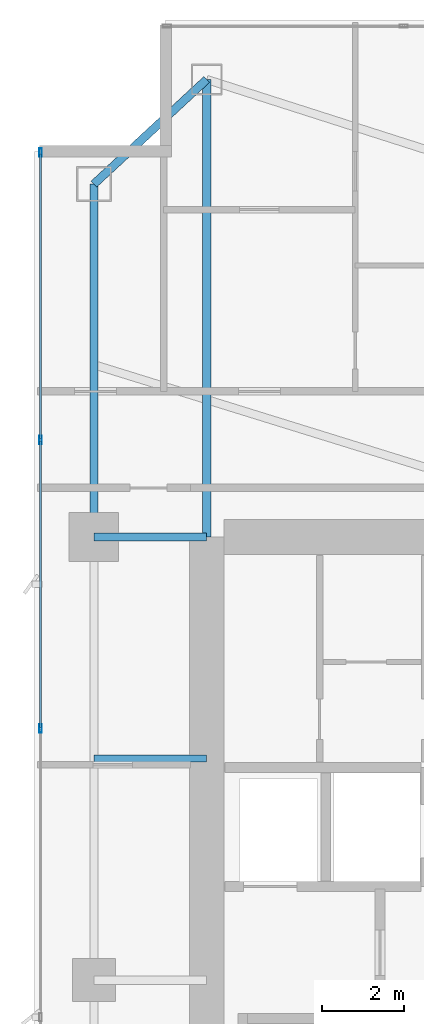
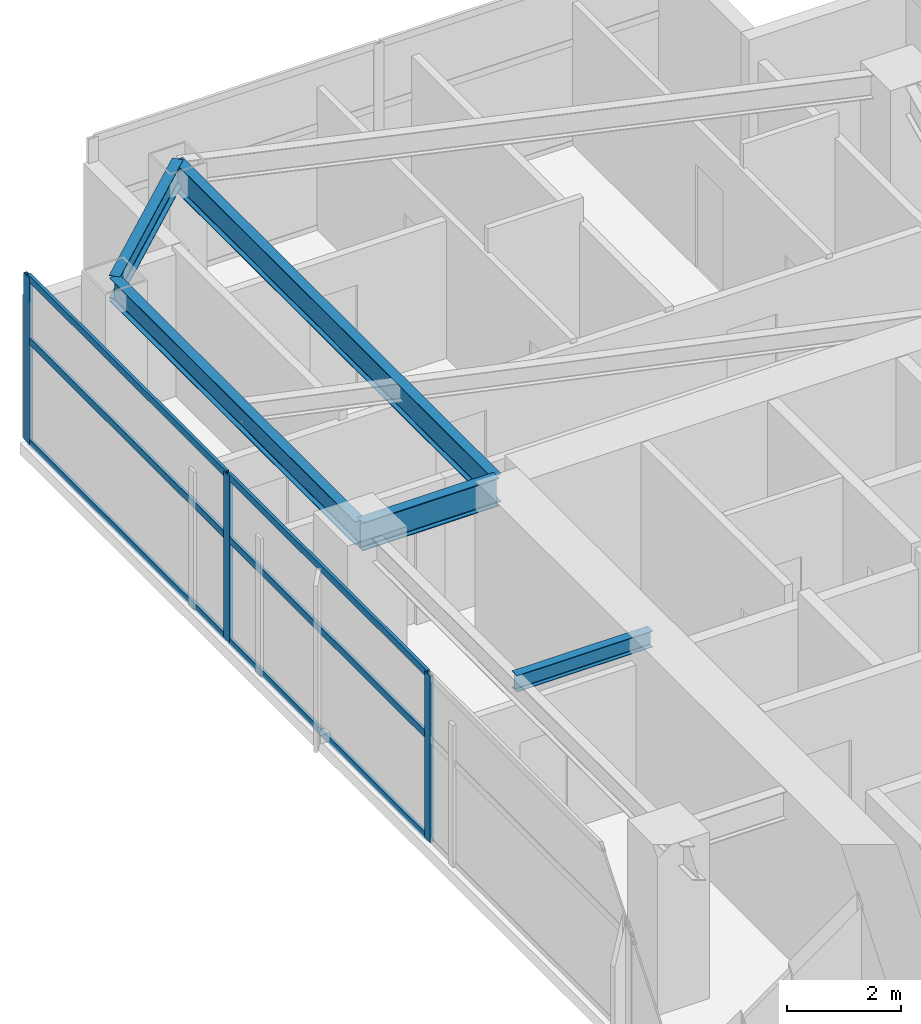
# One storey, part 16 of 29: 9 members, 5 beams, 1 element without a shape of its own.
"""IFC4 building model written with IfcOpenShell, lengths in metres."""

import ifcopenshell
import ifcopenshell.guid

model = None  # the IFC model being written
_history = None  # IfcOwnerHistory: only IFC2X3 demands one
_inside = {}  # id of a spatial element -> (the spatial element, [elements in it])
_under = {}  # id of a project, library or spatial element -> (it, [spatial elements below it])
_declared = {}  # id of a project -> (the project, [libraries it declares])
_typed = {}  # id of a type object -> (the type object, [elements of that type])
_made_of = {}  # id of a material, layer set ... -> (it, [elements and type objects made of it])


def new_model(schema):
    """Start an empty IFC model of exactly this schema.

    Asked for "IFC4X3", IfcOpenShell would pick the latest addendum, in which some entities
    have other attributes; the version numbers below select the first issue.
    IFC2X3 requires an IfcOwnerHistory on every rooted entity: one is made here for all.
    """
    global model, _history
    if schema == "IFC4X3":
        model = ifcopenshell.file(schema_version=(4, 3, 0, 0))
    else:
        model = ifcopenshell.file(schema=schema)
    _inside.clear()
    _under.clear()
    _declared.clear()
    _typed.clear()
    _made_of.clear()
    _history = None
    if model.schema == "IFC2X3":
        org = make("IfcOrganization", Name="unknown")
        user = make(
            "IfcPersonAndOrganization",
            ThePerson=make("IfcPerson", FamilyName="unknown"),
            TheOrganization=org,
        )
        app = make(
            "IfcApplication",
            ApplicationDeveloper=org,
            Version="unknown",
            ApplicationFullName="unknown",
            ApplicationIdentifier="unknown",
        )
        _history = make(
            "IfcOwnerHistory",
            OwningUser=user,
            OwningApplication=app,
            ChangeAction="ADDED",
            CreationDate=0,
        )
    return model


def make(cls, **values):
    """One entity of the class cls with the attributes given. An attribute that is None is left unset."""
    return model.create_entity(
        cls, **{name: value for name, value in values.items() if value is not None}
    )


def rooted(cls, **values):
    """An entity with a GlobalId (a new one), such as an element, a storey or a relation."""
    return make(cls, GlobalId=ifcopenshell.guid.new(), OwnerHistory=_history, **values)


def si_unit(unit_type, name, prefix=None):
    """IfcSIUnit, for example si_unit("LENGTHUNIT", "METRE", prefix="MILLI")."""
    return make("IfcSIUnit", UnitType=unit_type, Prefix=prefix, Name=name)


def assignment(units):
    """IfcUnitAssignment: the units of a project."""
    return None if units is None else make("IfcUnitAssignment", Units=units)


def point(xyz):
    """IfcCartesianPoint."""
    return None if xyz is None else make("IfcCartesianPoint", Coordinates=xyz)


def direction(xyz):
    """IfcDirection."""
    return None if xyz is None else make("IfcDirection", DirectionRatios=xyz)


def frame(location, z_axis=None, x_axis=None):
    """IfcAxis2Placement3D, a coordinate frame: its origin and axes. An axis left out is left unset."""
    return make(
        "IfcAxis2Placement3D",
        Location=point(location),
        Axis=direction(z_axis),
        RefDirection=direction(x_axis),
    )


def frame_2d(location, x_axis=None):
    """IfcAxis2Placement2D, a coordinate frame in the plane: its origin and x axis."""
    return make(
        "IfcAxis2Placement2D", Location=point(location), RefDirection=direction(x_axis)
    )


def origin():
    """The frame at (0, 0, 0) with its axes left unset."""
    return frame((0.0, 0.0, 0.0))


def origin_2d():
    """The frame at (0, 0) in the plane with its x axis left unset."""
    return frame_2d((0.0, 0.0))


def place(relative_to, where):
    """IfcLocalPlacement: puts the frame where relative to a parent placement (None: the world)."""
    return make(
        "IfcLocalPlacement", PlacementRelTo=relative_to, RelativePlacement=where
    )


def context(
    kind, dimensions, precision=None, world=None, true_north=None, identifier=None
):
    """IfcGeometricRepresentationContext, for example the 3D "Model" context."""
    return make(
        "IfcGeometricRepresentationContext",
        ContextIdentifier=identifier,
        ContextType=kind,
        CoordinateSpaceDimension=dimensions,
        Precision=precision,
        WorldCoordinateSystem=world,
        TrueNorth=true_north,
    )


def subcontext(parent, identifier, kind, view, scale=None):
    """IfcGeometricRepresentationSubContext, for example "Body" below "Model"."""
    return make(
        "IfcGeometricRepresentationSubContext",
        ContextIdentifier=identifier,
        ContextType=kind,
        ParentContext=parent,
        TargetScale=scale,
        TargetView=view,
    )


def project(units=None, contexts=None):
    """IfcProject with its units and contexts."""
    return rooted(
        "IfcProject",
        Name="project",
        RepresentationContexts=contexts,
        UnitsInContext=assignment(units),
    )


def spatial(cls, under=None, at=None, **own):
    """A site, building, storey or space (cls), placed at a placement, below another one or the project."""
    s = rooted(cls, ObjectPlacement=at, **own)
    if under is not None:
        _under.setdefault(under.id(), (under, []))[1].append(s)
    return s


def profile(cls, at=None, kind="AREA", **sizes):
    """A parametric profile (cls). Its sizes go by their IFC names, for example OverallWidth=200.0."""
    return make(cls, ProfileType=kind, Position=at, **sizes)


def hollow_rectangle(**sizes):
    """IfcRectangleHollowProfileDef."""
    return profile("IfcRectangleHollowProfileDef", **sizes)


def i_section(**sizes):
    """IfcIShapeProfileDef."""
    return profile("IfcIShapeProfileDef", **sizes)


def extrude(swept, where, along, depth):
    """IfcExtrudedAreaSolid: the profile swept, set in the frame where, extruded along a direction by depth."""
    return make(
        "IfcExtrudedAreaSolid",
        SweptArea=swept,
        Position=where,
        ExtrudedDirection=direction(along),
        Depth=depth,
    )


def shape(context_of_items, identifier, shape_type, items):
    """IfcShapeRepresentation: the items that make up one representation, for example the "Body"."""
    return make(
        "IfcShapeRepresentation",
        ContextOfItems=context_of_items,
        RepresentationIdentifier=identifier,
        RepresentationType=shape_type,
        Items=items,
    )


def material(Name=None, Category=None):
    """IfcMaterial."""
    return make("IfcMaterial", Name=Name, Category=Category)


def layer(
    of_material, thickness, ventilated=None, Name=None, Category=None, Priority=None
):
    """IfcMaterialLayer: one layer of a wall or slab, of a material (None: an air gap)."""
    return make(
        "IfcMaterialLayer",
        Material=of_material,
        LayerThickness=thickness,
        IsVentilated=ventilated,
        Name=Name,
        Category=Category,
        Priority=Priority,
    )


def layer_set(layers, Name=None):
    """IfcMaterialLayerSet."""
    return make("IfcMaterialLayerSet", MaterialLayers=layers, LayerSetName=Name)


def material_profile(
    of_material, cross_section, Name=None, Category=None, Priority=None
):
    """IfcMaterialProfile: a cross section and its material."""
    return make(
        "IfcMaterialProfile",
        Name=Name,
        Material=of_material,
        Profile=cross_section,
        Priority=Priority,
        Category=Category,
    )


def profile_set(profiles, Name=None, composite=None):
    """IfcMaterialProfileSet."""
    return make(
        "IfcMaterialProfileSet",
        Name=Name,
        MaterialProfiles=profiles,
        CompositeProfile=composite,
    )


def made_of(thing, what):
    """Note that an element or type object is made of a material, layer set ...; save() writes the relation."""
    if what is not None:
        _made_of.setdefault(what.id(), (what, []))[1].append(thing)
    return thing


def type_object(cls, material=None, **own):
    """A type object (cls), such as IfcWallType, which elements share."""
    return made_of(rooted(cls, **own), material)


def element(
    cls,
    number,
    at=None,
    inside=None,
    cuts=None,
    type_object=None,
    material=None,
    context=None,
    identifier="Body",
    shape_type=None,
    held_by="IfcProductDefinitionShape",
    body=None,
    shapes=None,
    **own,
):
    """One element of the class cls, such as IfcWall. Its Tag is "e" and its number.

    at: its placement. inside: the storey or other place that contains it. cuts: it is an
    opening in that element (IfcRelVoidsElement). A single representation is given by context,
    identifier, shape_type and body (its items); several are given by shapes. held_by: the class
    of the entity that holds the representations. save() writes the other relations.
    """
    e = rooted(cls, Tag="e%d" % number, ObjectPlacement=at, **own)
    if body is not None:
        shapes = [shape(context, identifier, shape_type, body)]
    if shapes is not None:
        e.Representation = make(held_by, Representations=shapes)
    if inside is not None:
        _inside.setdefault(inside.id(), (inside, []))[1].append(e)
    if cuts is not None:
        rooted(
            "IfcRelVoidsElement", RelatingBuildingElement=cuts, RelatedOpeningElement=e
        )
    if type_object is not None:
        _typed.setdefault(type_object.id(), (type_object, []))[1].append(e)
    return made_of(e, material)


def aggregate(whole, parts):
    """IfcRelAggregates: a whole, such as a stair, and the parts it consists of."""
    return rooted("IfcRelAggregates", RelatingObject=whole, RelatedObjects=parts)


def save(model, path):
    """Write the relations noted so far, then the file.

    IfcRelAggregates (storeys below a building ...), IfcRelContainedInSpatialStructure (elements
    in a storey), IfcRelDefinesByType, IfcRelAssociatesMaterial and IfcRelDeclares: one each for
    every whole, place, type object, material and project.
    """
    for whole, parts in _under.values():
        aggregate(whole, parts)
    for where, things in _inside.values():
        rooted(
            "IfcRelContainedInSpatialStructure",
            RelatedElements=things,
            RelatingStructure=where,
        )
    for kind, things in _typed.values():
        rooted("IfcRelDefinesByType", RelatedObjects=things, RelatingType=kind)
    for what, things in _made_of.values():
        rooted("IfcRelAssociatesMaterial", RelatedObjects=things, RelatingMaterial=what)
    for by, libraries in _declared.values():
        rooted("IfcRelDeclares", RelatingContext=by, RelatedDefinitions=libraries)
    model.write(path)


model = new_model("IFC4")

# Units and contexts
model_context = context("Model", 3, precision=1e-05, world=origin(), true_north=direction((0.0, 1.0)))
body_context = subcontext(model_context, "Body", "Model", "MODEL_VIEW")
ifc_project = project(units=[si_unit("LENGTHUNIT", "METRE"), si_unit("AREAUNIT", "SQUARE_METRE"), si_unit("VOLUMEUNIT", "CUBIC_METRE"), si_unit("PLANEANGLEUNIT", "RADIAN"), si_unit("MASSUNIT", "GRAM", prefix="KILO")], contexts=[model_context])

# Site, building, storey
site_placement = place(None, origin())
site = spatial("IfcSite", under=ifc_project, at=site_placement, CompositionType="ELEMENT")
building_placement = place(site_placement, origin())
building = spatial("IfcBuilding", under=site, at=building_placement, Name="Calvorn Quay Hotel", CompositionType="ELEMENT")
storey_placement = place(building_placement, frame((0.0, 0.0, 163.699951171875)))
storey = spatial("IfcBuildingStorey", under=building, at=storey_placement, Name="L40", CompositionType="ELEMENT", Elevation=163.699951171875)

# Beams
ifc_material_1 = material(Name="Steel Q355B", Category="steel")
ifc_material_profile_1 = material_profile(ifc_material_1, i_section(OverallWidth=0.199951171875, OverallDepth=0.60009765625, WebThickness=0.010986328125, FlangeThickness=0.01708984375, FilletRadius=0.01806640625, at=origin_2d()), Name="HN600x200x11x17")
ifc_profile_set_1 = profile_set([ifc_material_profile_1], Name="Steel Q355B")
beam_type_1 = type_object("IfcBeamType", Name="BM-GIRD-TYP", PredefinedType="BEAM", material=ifc_profile_set_1)
beam_1_placement = place(storey_placement, frame((1.449951171875, 38.39990234375, 3.239990234375), z_axis=(1.0, 0.0, 0.0), x_axis=(0.0, 1.0, 0.0)))
element("IfcBeam", 1, at=beam_1_placement, inside=storey, type_object=beam_type_1, Name="Beam BG-L40-W3", PredefinedType="BEAM", context=body_context, shape_type="SweptSolid", body=[
    extrude(i_section(OverallWidth=0.199951171875, OverallDepth=0.60009765625, WebThickness=0.010986328125, FlangeThickness=0.01708984375, FilletRadius=0.01806640625, at=origin_2d()), origin(), (0.0, 0.0, 1.0), 2.75),
])
beam_2_placement = place(storey_placement, frame((4.199951171875, 49.550048828125, 3.239990234375), z_axis=(0.0, -1.0, 0.0), x_axis=(1.0, 0.0, 0.0)))
element("IfcBeam", 2, at=beam_2_placement, inside=storey, type_object=beam_type_1, Name="Beam BG-L40-W5", PredefinedType="BEAM", context=body_context, shape_type="SweptSolid", body=[
    extrude(i_section(OverallWidth=0.199951171875, OverallDepth=0.60009765625, WebThickness=0.010986328125, FlangeThickness=0.01708984375, FilletRadius=0.01806640625, at=origin_2d()), origin(), (0.0, 0.0, 1.0), 11.150146484375),
])
ifc_material_2 = material(Name="Steel Q355B", Category="steel")
ifc_material_profile_2 = material_profile(ifc_material_2, i_section(OverallWidth=0.175048828125, OverallDepth=0.35009765625, WebThickness=0.007080078125, FlangeThickness=0.010986328125, FilletRadius=0.013916015625, at=origin_2d()), Name="HN350x175x7x11")
ifc_profile_set_2 = profile_set([ifc_material_profile_2], Name="Steel Q355B")
beam_type_2 = type_object("IfcBeamType", Name="BM-JOIST-SEC", PredefinedType="JOIST", material=ifc_profile_set_2)
beam_3_placement = place(storey_placement, frame((1.449951171875, 33.0, 3.364990234375), z_axis=(1.0, 0.0, 0.0), x_axis=(0.0, 1.0, 0.0)))
element("IfcBeam", 3, at=beam_3_placement, inside=storey, type_object=beam_type_2, Name="Beam BJ-L40-W4", PredefinedType="JOIST", context=body_context, shape_type="SweptSolid", body=[
    extrude(i_section(OverallWidth=0.175048828125, OverallDepth=0.35009765625, WebThickness=0.007080078125, FlangeThickness=0.010986328125, FilletRadius=0.013916015625, at=origin_2d()), origin(), (0.0, 0.0, 1.0), 2.75),
])
ifc_material_3 = material(Name="Steel Q355B", Category="steel")
ifc_material_profile_3 = material_profile(ifc_material_3, i_section(OverallWidth=0.199951171875, OverallDepth=0.5, WebThickness=0.010009765625, FlangeThickness=0.01611328125, FilletRadius=0.01611328125, at=origin_2d()), Name="HN500x200x10x16")
ifc_profile_set_3 = profile_set([ifc_material_profile_3], Name="Steel Q355B")
beam_type_3 = type_object("IfcBeamType", Name="BM-SPANDREL-Z1", PredefinedType="SPANDREL", material=ifc_profile_set_3)
beam_4_placement = place(storey_placement, frame((1.449951171875, 38.39990234375, 3.2900390625), z_axis=(0.0, 1.0, 0.0), x_axis=(-1.0, 0.0, 0.0)))
element("IfcBeam", 4, at=beam_4_placement, inside=storey, type_object=beam_type_3, Name="Beam BSP-L40-W4", PredefinedType="SPANDREL", context=body_context, shape_type="SweptSolid", body=[
    extrude(i_section(OverallWidth=0.199951171875, OverallDepth=0.5, WebThickness=0.010009765625, FlangeThickness=0.01611328125, FilletRadius=0.01611328125, at=origin_2d()), origin(), (0.0, 0.0, 1.0), 8.60009765625),
])
beam_5_placement = place(storey_placement, frame((1.449951171875, 47.0, 3.2900390625), z_axis=(0.733261665538, 0.679946563969, 0.0), x_axis=(-0.679946563969, 0.733261665538, 0.0)))
element("IfcBeam", 5, at=beam_5_placement, inside=storey, type_object=beam_type_3, Name="Beam BSP-L40-W5", PredefinedType="SPANDREL", context=body_context, shape_type="SweptSolid", body=[
    extrude(i_section(OverallWidth=0.199951171875, OverallDepth=0.5, WebThickness=0.010009765625, FlangeThickness=0.01611328125, FilletRadius=0.01611328125, at=origin_2d()), origin(), (0.0, 0.0, 1.0), 3.75048828125),
])

# Curtain wall, members
ifc_material_4 = material(Name="Pale Anodised Aluminium and Low-E Glass", Category="aluminium")
ifc_layer = layer(ifc_material_4, 0.219970703125)
ifc_layer_set = layer_set([ifc_layer], Name="CW-SYS-Z2")
curtain_wall_type = type_object("IfcCurtainWallType", Name="CW-SYS-Z2", PredefinedType="NOTDEFINED", material=ifc_layer_set)
curtain_wall_placement = place(storey_placement, origin())
curtain_wall = element("IfcCurtainWall", 6, at=curtain_wall_placement, inside=storey, type_object=curtain_wall_type, Name="Tower West Curtain Wall (L40)", PredefinedType="NOTDEFINED")
ifc_material_5 = material(Name="Pale Anodised Aluminium 6063-T6", Category="aluminium")
ifc_material_profile_4 = material_profile(ifc_material_5, hollow_rectangle(XDim=0.070068359375, YDim=0.199951171875, WallThickness=0.00390625, at=origin_2d()), Name="ALU-M200x70x4")
ifc_profile_set_4 = profile_set([ifc_material_profile_4], Name="Pale Anodised Aluminium 6063-T6")
member_type_1 = type_object("IfcMemberType", Name="CW-SYS-Z2-MUL", PredefinedType="MULLION", material=ifc_profile_set_4)
member_1_placement = place(storey_placement, frame((0.14990234375, 33.7333984375, 0.0), z_axis=(0.0, 0.0, 1.0), x_axis=(-1.0, 0.0, 0.0)))
member_1 = element("IfcMember", 7, at=member_1_placement, type_object=member_type_1, Name="CW-L40-W mullion 5", PredefinedType="MULLION", context=body_context, shape_type="SweptSolid", body=[
    extrude(hollow_rectangle(XDim=0.070068359375, YDim=0.199951171875, WallThickness=0.00390625, at=origin_2d()), origin(), (0.0, 0.0, 1.0), 3.56005859375),
])
member_2_placement = place(storey_placement, frame((0.14990234375, 40.7666015625, 0.0), z_axis=(0.0, 0.0, 1.0), x_axis=(-1.0, 0.0, 0.0)))
member_2 = element("IfcMember", 8, at=member_2_placement, type_object=member_type_1, Name="CW-L40-W mullion 6", PredefinedType="MULLION", context=body_context, shape_type="SweptSolid", body=[
    extrude(hollow_rectangle(XDim=0.070068359375, YDim=0.199951171875, WallThickness=0.00390625, at=origin_2d()), origin(), (0.0, 0.0, 1.0), 3.56005859375),
])
member_3_placement = place(storey_placement, frame((0.14990234375, 47.77001953125, 0.0), z_axis=(0.0, 0.0, 1.0), x_axis=(-1.0, 0.0, 0.0)))
member_3 = element("IfcMember", 9, at=member_3_placement, type_object=member_type_1, Name="CW-L40-W mullion 7", PredefinedType="MULLION", context=body_context, shape_type="SweptSolid", body=[
    extrude(hollow_rectangle(XDim=0.070068359375, YDim=0.199951171875, WallThickness=0.00390625, at=origin_2d()), origin(), (0.0, 0.0, 1.0), 3.56005859375),
])
ifc_material_6 = material(Name="Pale Anodised Aluminium 6063-T6", Category="aluminium")
ifc_material_profile_5 = material_profile(ifc_material_6, hollow_rectangle(XDim=0.06005859375, YDim=0.14990234375, WallThickness=0.00341796875, at=origin_2d()), Name="ALU-T150x60x3.5")
ifc_profile_set_5 = profile_set([ifc_material_profile_5], Name="Pale Anodised Aluminium 6063-T6")
member_type_2 = type_object("IfcMemberType", Name="CW-SYS-Z2-TRN", PredefinedType="USERDEFINED", material=ifc_profile_set_5)
member_4_placement = place(storey_placement, frame((0.14990234375, 33.763427734375, 0.030029296875), z_axis=(0.0, 1.0, 0.0), x_axis=(-1.0, 0.0, 0.0)))
member_4 = element("IfcMember", 10, at=member_4_placement, type_object=member_type_2, Name="CW-L40-W transom 5.1", ObjectType="TRANSOM", PredefinedType="USERDEFINED", context=body_context, shape_type="SweptSolid", body=[
    extrude(hollow_rectangle(XDim=0.06005859375, YDim=0.14990234375, WallThickness=0.00341796875, at=origin_2d()), origin(), (0.0, 0.0, 1.0), 6.97314453125),
])
member_5_placement = place(storey_placement, frame((0.14990234375, 33.763427734375, 2.199951171875), z_axis=(0.0, 1.0, 0.0), x_axis=(-1.0, 0.0, 0.0)))
member_5 = element("IfcMember", 11, at=member_5_placement, type_object=member_type_2, Name="CW-L40-W transom 5.2", ObjectType="TRANSOM", PredefinedType="USERDEFINED", context=body_context, shape_type="SweptSolid", body=[
    extrude(hollow_rectangle(XDim=0.06005859375, YDim=0.14990234375, WallThickness=0.00341796875, at=origin_2d()), origin(), (0.0, 0.0, 1.0), 6.97314453125),
])
member_6_placement = place(storey_placement, frame((0.14990234375, 33.763427734375, 3.530029296875), z_axis=(0.0, 1.0, 0.0), x_axis=(-1.0, 0.0, 0.0)))
member_6 = element("IfcMember", 12, at=member_6_placement, type_object=member_type_2, Name="CW-L40-W transom 5.3", ObjectType="TRANSOM", PredefinedType="USERDEFINED", context=body_context, shape_type="SweptSolid", body=[
    extrude(hollow_rectangle(XDim=0.06005859375, YDim=0.14990234375, WallThickness=0.00341796875, at=origin_2d()), origin(), (0.0, 0.0, 1.0), 6.97314453125),
])
member_7_placement = place(storey_placement, frame((0.14990234375, 40.796630859375, 0.030029296875), z_axis=(0.0, 1.0, 0.0), x_axis=(-1.0, 0.0, 0.0)))
member_7 = element("IfcMember", 13, at=member_7_placement, type_object=member_type_2, Name="CW-L40-W transom 6.1", ObjectType="TRANSOM", PredefinedType="USERDEFINED", context=body_context, shape_type="SweptSolid", body=[
    extrude(hollow_rectangle(XDim=0.06005859375, YDim=0.14990234375, WallThickness=0.00341796875, at=origin_2d()), origin(), (0.0, 0.0, 1.0), 6.943359375),
])
member_8_placement = place(storey_placement, frame((0.14990234375, 40.796630859375, 2.199951171875), z_axis=(0.0, 1.0, 0.0), x_axis=(-1.0, 0.0, 0.0)))
member_8 = element("IfcMember", 14, at=member_8_placement, type_object=member_type_2, Name="CW-L40-W transom 6.2", ObjectType="TRANSOM", PredefinedType="USERDEFINED", context=body_context, shape_type="SweptSolid", body=[
    extrude(hollow_rectangle(XDim=0.06005859375, YDim=0.14990234375, WallThickness=0.00341796875, at=origin_2d()), origin(), (0.0, 0.0, 1.0), 6.943359375),
])
member_9_placement = place(storey_placement, frame((0.14990234375, 40.796630859375, 3.530029296875), z_axis=(0.0, 1.0, 0.0), x_axis=(-1.0, 0.0, 0.0)))
member_9 = element("IfcMember", 15, at=member_9_placement, type_object=member_type_2, Name="CW-L40-W transom 6.3", ObjectType="TRANSOM", PredefinedType="USERDEFINED", context=body_context, shape_type="SweptSolid", body=[
    extrude(hollow_rectangle(XDim=0.06005859375, YDim=0.14990234375, WallThickness=0.00341796875, at=origin_2d()), origin(), (0.0, 0.0, 1.0), 6.943359375),
])
aggregate(curtain_wall, [member_1, member_2, member_3, member_4, member_5, member_6, member_7, member_8, member_9])

save(model, "model.ifc")
